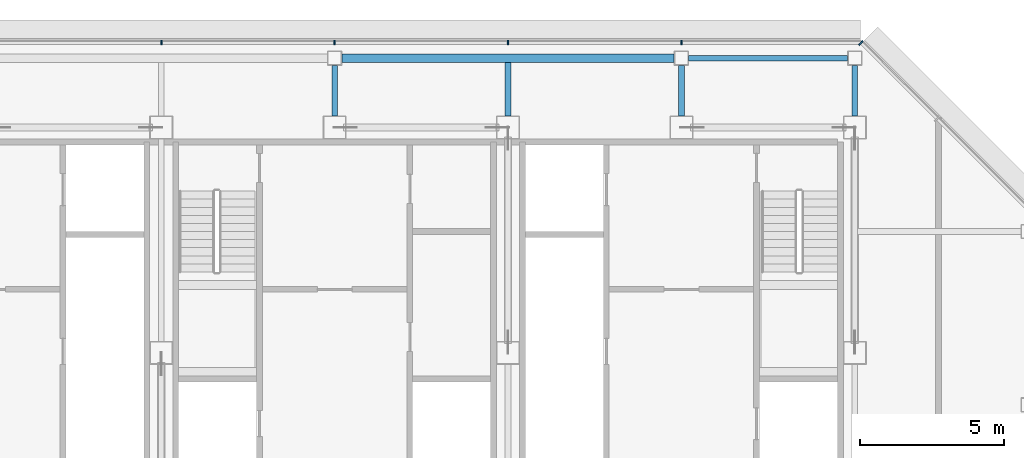
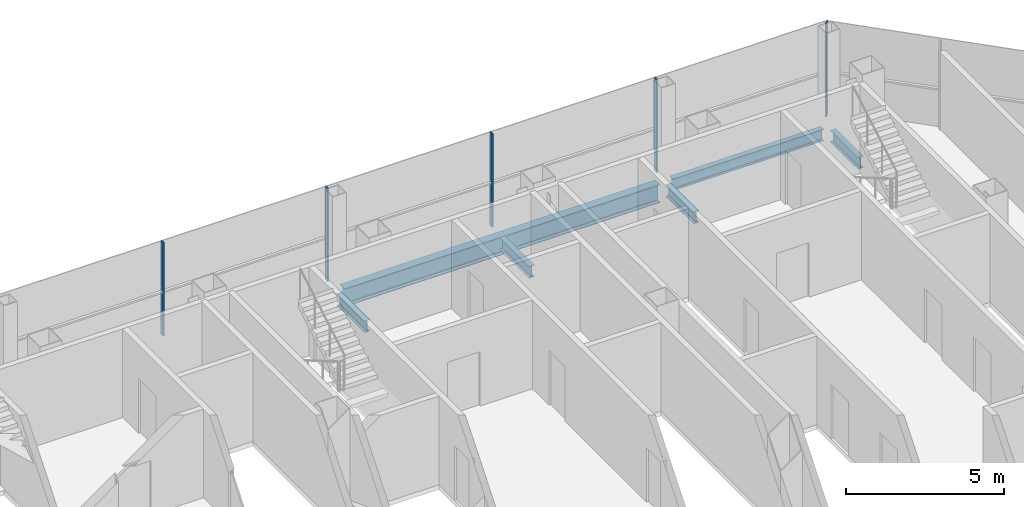
# One storey, part 16 of 28: 6 beams, 5 members, 2 elements without a shape of their own.
"""IFC4 building model written with IfcOpenShell, lengths in metres."""

from ifc_helpers import new_model, si_unit, direction, frame, origin, origin_2d, place, context, subcontext, project, spatial, rectangle, i_section, extrude, material, material_profile, profile_set, type_object, element, aggregate, save


model = new_model("IFC4")

# Units and contexts
model_context = context("Model", 3, precision=1e-05, world=origin(), true_north=direction((0.0, 1.0)))
body_context = subcontext(model_context, "Body", "Model", "MODEL_VIEW")
ifc_project = project(units=[si_unit("LENGTHUNIT", "METRE"), si_unit("AREAUNIT", "SQUARE_METRE"), si_unit("VOLUMEUNIT", "CUBIC_METRE"), si_unit("PLANEANGLEUNIT", "RADIAN"), si_unit("MASSUNIT", "GRAM", prefix="KILO")], contexts=[model_context])

# Site, building, storey
site_placement = place(None, origin())
site = spatial("IfcSite", under=ifc_project, at=site_placement, CompositionType="ELEMENT")
building_placement = place(site_placement, origin())
building = spatial("IfcBuilding", under=site, at=building_placement, Name="Sorahane Residences", CompositionType="ELEMENT")
storey_placement = place(building_placement, frame((0.0, 0.0, 305.199951171875)))
storey = spatial("IfcBuildingStorey", under=building, at=storey_placement, Name="L72", CompositionType="ELEMENT", Elevation=305.199951171875)

# Curtain wall, members
ifc_material_1 = material(Name="Dark low-e glass and black anodised aluminium", Category="aluminium")
curtain_wall_type_1 = type_object("IfcCurtainWallType", Name="Curtain wall CW-1 Typical unitised wall", PredefinedType="NOTDEFINED", material=ifc_material_1)
curtain_wall_1_placement = place(storey_placement, origin())
curtain_wall_1 = element("IfcCurtainWall", 1, at=curtain_wall_1_placement, inside=storey, type_object=curtain_wall_type_1, Name="CW-1 curtain wall L72 N1", PredefinedType="NOTDEFINED")
ifc_material_2 = material(Name="Black anodised aluminium", Category="aluminium")
ifc_material_profile_1 = material_profile(ifc_material_2, rectangle(XDim=0.159912109375, YDim=0.050048828125, at=origin_2d()), Name="Curtain wall mullion CW-1 black anodised aluminium 50x160")
ifc_profile_set_1 = profile_set([ifc_material_profile_1], Name="Black anodised aluminium")
member_type_1 = type_object("IfcMemberType", Name="Curtain wall mullion CW-1 black anodised aluminium 50x160", PredefinedType="MULLION", material=ifc_profile_set_1)
member_1_placement = place(storey_placement, frame((36.0, 48.5400390625, -0.179931640625), z_axis=(0.0, 0.0, 1.0), x_axis=(0.0, 1.0, 0.0)))
member_1 = element("IfcMember", 2, at=member_1_placement, type_object=member_type_1, Name="CW-1 mullion L72 N1.2", PredefinedType="MULLION", context=body_context, shape_type="SweptSolid", body=[
    extrude(rectangle(XDim=0.159912109375, YDim=0.050048828125, at=origin_2d()), origin(), (0.0, 0.0, 1.0), 3.60009765625),
])
member_2_placement = place(storey_placement, frame((30.0, 48.5400390625, -0.179931640625), z_axis=(0.0, 0.0, 1.0), x_axis=(0.0, 1.0, 0.0)))
member_2 = element("IfcMember", 3, at=member_2_placement, type_object=member_type_1, Name="CW-1 mullion L72 N1.3", PredefinedType="MULLION", context=body_context, shape_type="SweptSolid", body=[
    extrude(rectangle(XDim=0.159912109375, YDim=0.050048828125, at=origin_2d()), origin(), (0.0, 0.0, 1.0), 3.60009765625),
])
member_3_placement = place(storey_placement, frame((24.0, 48.5400390625, -0.179931640625), z_axis=(0.0, 0.0, 1.0), x_axis=(0.0, 1.0, 0.0)))
member_3 = element("IfcMember", 4, at=member_3_placement, type_object=member_type_1, Name="CW-1 mullion L72 N1.4", PredefinedType="MULLION", context=body_context, shape_type="SweptSolid", body=[
    extrude(rectangle(XDim=0.159912109375, YDim=0.050048828125, at=origin_2d()), origin(), (0.0, 0.0, 1.0), 3.60009765625),
])
member_4_placement = place(storey_placement, frame((18.0, 48.5400390625, -0.179931640625), z_axis=(0.0, 0.0, 1.0), x_axis=(0.0, 1.0, 0.0)))
member_4 = element("IfcMember", 5, at=member_4_placement, type_object=member_type_1, Name="CW-1 mullion L72 N1.5", PredefinedType="MULLION", context=body_context, shape_type="SweptSolid", body=[
    extrude(rectangle(XDim=0.159912109375, YDim=0.050048828125, at=origin_2d()), origin(), (0.0, 0.0, 1.0), 3.60009765625),
])
aggregate(curtain_wall_1, [member_1, member_2, member_3, member_4])

# Curtain wall, member
ifc_material_3 = material(Name="Dark low-e glass and black anodised aluminium", Category="aluminium")
curtain_wall_type_2 = type_object("IfcCurtainWallType", Name="Curtain wall CW-2 Chamfer unitised wall", PredefinedType="NOTDEFINED", material=ifc_material_3)
curtain_wall_2_placement = place(storey_placement, origin())
curtain_wall_2 = element("IfcCurtainWall", 6, at=curtain_wall_2_placement, inside=storey, type_object=curtain_wall_type_2, Name="CW-2 curtain wall L72 NE1", PredefinedType="NOTDEFINED")
ifc_material_4 = material(Name="Black anodised aluminium", Category="aluminium")
ifc_material_profile_2 = material_profile(ifc_material_4, rectangle(XDim=0.199951171875, YDim=0.050048828125, at=origin_2d()), Name="Curtain wall mullion CW-2 black anodised aluminium 50x200")
ifc_profile_set_2 = profile_set([ifc_material_profile_2], Name="Black anodised aluminium")
member_type_2 = type_object("IfcMemberType", Name="Curtain wall mullion CW-2 black anodised aluminium 50x200", PredefinedType="MULLION", material=ifc_profile_set_2)
member_5_placement = place(storey_placement, frame((42.209716796875, 48.525634765625, -0.179931640625), z_axis=(0.0, 0.0, 1.0), x_axis=(0.707106781187, 0.707106781187, 0.0)))
member_5 = element("IfcMember", 7, at=member_5_placement, type_object=member_type_2, Name="CW-2 mullion L72 NE1.3", PredefinedType="MULLION", context=body_context, shape_type="SweptSolid", body=[
    extrude(rectangle(XDim=0.199951171875, YDim=0.050048828125, at=origin_2d()), origin(), (0.0, 0.0, 1.0), 3.60009765625),
])
aggregate(curtain_wall_2, [member_5])

# Beams
ifc_material_5 = material(Name="Steel Q355B", Category="steel")
ifc_material_profile_3 = material_profile(ifc_material_5, i_section(OverallWidth=0.199951171875, OverallDepth=0.449951171875, WebThickness=0.009033203125, FlangeThickness=0.013916015625, FilletRadius=0.02001953125, at=origin_2d()), Name="HN 450x200x9x14")
ifc_profile_set_3 = profile_set([ifc_material_profile_3], Name="Steel Q355B")
beam_type_1 = type_object("IfcBeamType", Name="Steel floor beam HN 450x200x9x14 Q355B", PredefinedType="BEAM", material=ifc_profile_set_3)
beam_1_placement = place(storey_placement, frame((36.25, 48.0, -0.405029296875), z_axis=(1.0, 0.0, 0.0), x_axis=(0.0, 1.0, 0.0)))
element("IfcBeam", 8, at=beam_1_placement, inside=storey, type_object=beam_type_1, Name="Beam L72 019", PredefinedType="BEAM", context=body_context, shape_type="SweptSolid", body=[
    extrude(i_section(OverallWidth=0.199951171875, OverallDepth=0.449951171875, WebThickness=0.009033203125, FlangeThickness=0.013916015625, FilletRadius=0.02001953125, at=origin_2d()), origin(), (0.0, 0.0, 1.0), 5.5),
])
beam_2_placement = place(storey_placement, frame((24.0, 46.0, -0.405029296875), z_axis=(0.0, 1.0, 0.0), x_axis=(-1.0, 0.0, 0.0)))
element("IfcBeam", 9, at=beam_2_placement, inside=storey, type_object=beam_type_1, Name="Beam L72 047", PredefinedType="BEAM", context=body_context, shape_type="SweptSolid", body=[
    extrude(i_section(OverallWidth=0.199951171875, OverallDepth=0.449951171875, WebThickness=0.009033203125, FlangeThickness=0.013916015625, FilletRadius=0.02001953125, at=origin_2d()), origin(), (0.0, 0.0, 1.0), 1.75),
])
beam_3_placement = place(storey_placement, frame((30.0, 46.0, -0.405029296875), z_axis=(0.0, 1.0, 0.0), x_axis=(-1.0, 0.0, 0.0)))
element("IfcBeam", 10, at=beam_3_placement, inside=storey, type_object=beam_type_1, Name="Beam L72 053", PredefinedType="BEAM", context=body_context, shape_type="SweptSolid", body=[
    extrude(i_section(OverallWidth=0.199951171875, OverallDepth=0.449951171875, WebThickness=0.009033203125, FlangeThickness=0.013916015625, FilletRadius=0.02001953125, at=origin_2d()), origin(), (0.0, 0.0, 1.0), 1.85009765625),
])
for number, where, z_axis, x_axis, name in (
    (11, (36.0, 46.0, -0.405029296875), (0.0, 1.0, 0.0), (-1.0, 0.0, 0.0), "Beam L72 055"),
    (12, (42.0, 46.0, -0.405029296875), (0.0, 1.0, 0.0), (-1.0, 0.0, 0.0), "Beam L72 061"),
):
    element("IfcBeam", number, at=place(storey_placement, frame(where, z_axis=z_axis, x_axis=x_axis)), inside=storey, type_object=beam_type_1, Name=name, PredefinedType="BEAM", context=body_context, shape_type="SweptSolid", body=[
        extrude(i_section(OverallWidth=0.199951171875, OverallDepth=0.449951171875, WebThickness=0.009033203125, FlangeThickness=0.013916015625, FilletRadius=0.02001953125, at=origin_2d()), origin(), (0.0, 0.0, 1.0), 1.75),
    ])
ifc_material_6 = material(Name="Steel Q355B", Category="steel")
ifc_material_profile_4 = material_profile(ifc_material_6, i_section(OverallWidth=0.300048828125, OverallDepth=0.699951171875, WebThickness=0.012939453125, FlangeThickness=0.02392578125, FilletRadius=0.028076171875, at=origin_2d()), Name="HN 700x300x13x24")
ifc_profile_set_4 = profile_set([ifc_material_profile_4], Name="Steel Q355B")
beam_type_2 = type_object("IfcBeamType", Name="Steel floor beam HN 700x300x13x24 Q355B", PredefinedType="BEAM", material=ifc_profile_set_4)
beam_4_placement = place(storey_placement, frame((24.25, 48.0, -0.530029296875), z_axis=(1.0, 0.0, 0.0), x_axis=(0.0, 1.0, 0.0)))
element("IfcBeam", 13, at=beam_4_placement, inside=storey, type_object=beam_type_2, Name="Beam L72 018", PredefinedType="BEAM", context=body_context, shape_type="SweptSolid", body=[
    extrude(i_section(OverallWidth=0.300048828125, OverallDepth=0.699951171875, WebThickness=0.012939453125, FlangeThickness=0.02392578125, FilletRadius=0.028076171875, at=origin_2d()), origin(), (0.0, 0.0, 1.0), 11.5),
])

save(model, "model.ifc")
